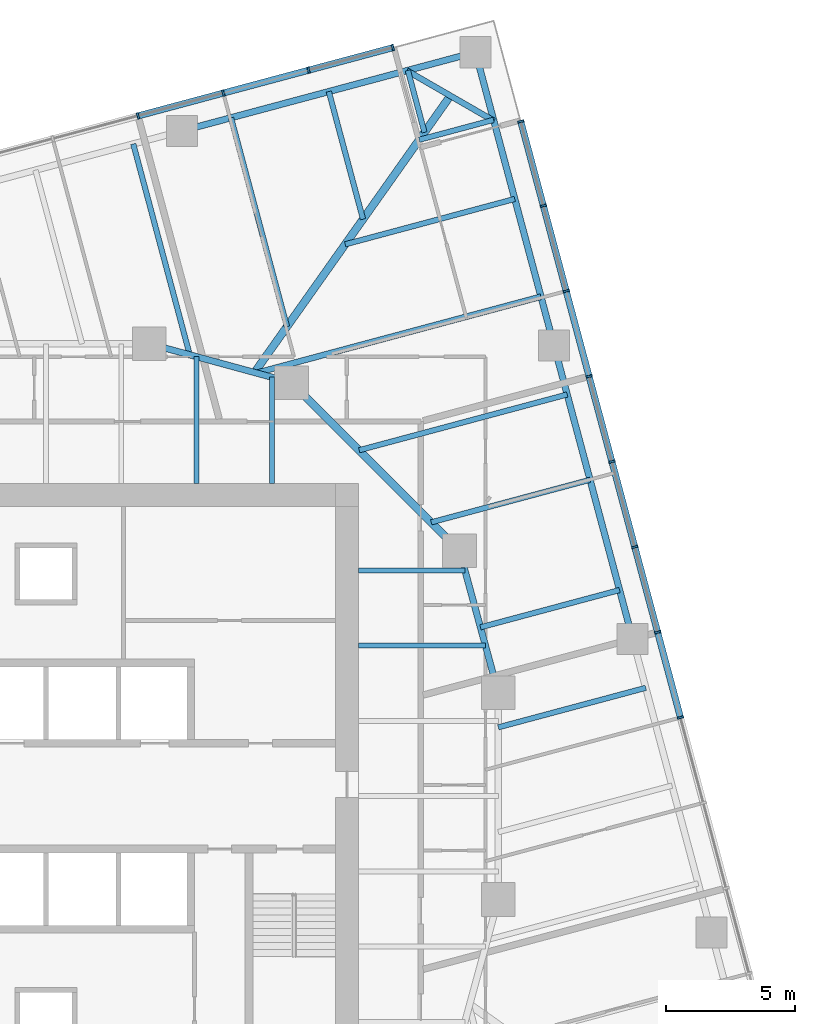
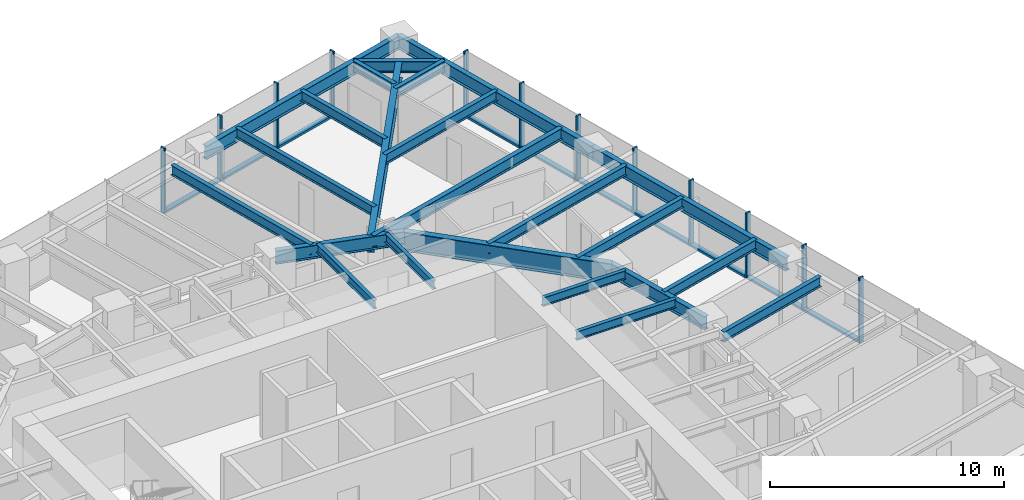
# One storey, part 6 of 13: 23 beams, 22 members, 2 elements without a shape of their own.
"""IFC4 building model written with IfcOpenShell, lengths in metres."""

from ifc_helpers import new_model, si_unit, direction, frame, origin, origin_2d, place, context, subcontext, project, spatial, rectangle, i_section, extrude, material, material_profile, profile_set, type_object, element, aggregate, save


model = new_model("IFC4")

# Units and contexts
model_context = context("Model", 3, precision=1e-05, world=origin(), true_north=direction((0.0, 1.0)))
body_context = subcontext(model_context, "Body", "Model", "MODEL_VIEW")
ifc_project = project(units=[si_unit("LENGTHUNIT", "METRE"), si_unit("AREAUNIT", "SQUARE_METRE"), si_unit("VOLUMEUNIT", "CUBIC_METRE"), si_unit("PLANEANGLEUNIT", "RADIAN"), si_unit("MASSUNIT", "GRAM", prefix="KILO")], contexts=[model_context])

# Site, building, storey
site_placement = place(None, origin())
site = spatial("IfcSite", under=ifc_project, at=site_placement, CompositionType="ELEMENT")
building_placement = place(site_placement, origin())
building = spatial("IfcBuilding", under=site, at=building_placement, Name="Torsade Residences", CompositionType="ELEMENT")
storey_placement = place(building_placement, frame((0.0, 0.0, 115.0)))
storey = spatial("IfcBuildingStorey", under=building, at=storey_placement, Name="L31", CompositionType="ELEMENT", Elevation=115.0)

# Beams
ifc_material_1 = material(Name="Steel grade 300", Category="steel")
ifc_material_profile_1 = material_profile(ifc_material_1, i_section(OverallWidth=0.300048828125, OverallDepth=0.89990234375, WebThickness=0.011962890625, FlangeThickness=0.02490234375, at=origin_2d()), Name="900WB175")
ifc_profile_set_1 = profile_set([ifc_material_profile_1], Name="Steel grade 300")
beam_type_1 = type_object("IfcBeamType", Name="CORNER GIRDER 900WB175", PredefinedType="BEAM", material=ifc_profile_set_1)
beam_1_placement = place(storey_placement, frame((55.644775390625, 57.097412109375, 2.800048828125), z_axis=(-0.577683167004, -0.816261084801, 0.0), x_axis=(0.816261084801, -0.577683167004, 0.0)))
element("IfcBeam", 1, at=beam_1_placement, inside=storey, type_object=beam_type_1, Name="Corner girder 09 L32", PredefinedType="BEAM", context=body_context, shape_type="SweptSolid", body=[
    extrude(i_section(OverallWidth=0.300048828125, OverallDepth=0.89990234375, WebThickness=0.011962890625, FlangeThickness=0.02490234375, at=origin_2d()), origin(), (0.0, 0.0, 1.0), 13.116943359375),
])
ifc_material_2 = material(Name="Steel grade 300", Category="steel")
ifc_material_profile_2 = material_profile(ifc_material_2, i_section(OverallWidth=0.22802734375, OverallDepth=0.60205078125, WebThickness=0.010498046875, FlangeThickness=0.014892578125, FilletRadius=0.013916015625, at=origin_2d()), Name="610UB101")
ifc_profile_set_2 = profile_set([ifc_material_profile_2], Name="Steel grade 300")
beam_type_2 = type_object("IfcBeamType", Name="CORNER TRIMMER 610UB101", PredefinedType="BEAM", material=ifc_profile_set_2)
beam_2_placement = place(storey_placement, frame((53.960693359375, 58.06982421875, 2.948974609375), z_axis=(0.866028782848, -0.499994147244, 0.0), x_axis=(0.499994147244, 0.866028782848, 0.0)))
element("IfcBeam", 2, at=beam_2_placement, inside=storey, type_object=beam_type_2, Name="Corner trimmer 09 L32", PredefinedType="BEAM", context=body_context, shape_type="SweptSolid", body=[
    extrude(i_section(OverallWidth=0.22802734375, OverallDepth=0.60205078125, WebThickness=0.010498046875, FlangeThickness=0.014892578125, FilletRadius=0.013916015625, at=origin_2d()), origin(), (0.0, 0.0, 1.0), 3.88916015625),
])
ifc_material_3 = material(Name="Steel grade 300", Category="steel")
ifc_material_profile_3 = material_profile(ifc_material_3, i_section(OverallWidth=0.25, OverallDepth=0.699951171875, WebThickness=0.010009765625, FlangeThickness=0.02001953125, at=origin_2d()), Name="700WB130")
ifc_profile_set_3 = profile_set([ifc_material_profile_3], Name="Steel grade 300")
beam_type_3 = type_object("IfcBeamType", Name="EDGE BEAM 700WB130", PredefinedType="SPANDREL", material=ifc_profile_set_3)
for number, where, z_axis, x_axis, name in (
    (3, (62.69921875, 36.082275390625, 2.89990234375), (-0.258810863021, 0.965928018634, 0.0), (-0.965928018634, -0.258810863021, 0.0), "Edge beam 07 L32"),
    (4, (59.658203125, 47.431884765625, 2.89990234375), (-0.258830249097, 0.965922824118, 0.0), (-0.965922824118, -0.258830249097, 0.0), "Edge beam 08 L32"),
    (5, (56.616943359375, 58.781494140625, 2.89990234375), (-0.965928018634, -0.258810863021, 0.0), (0.258810863021, -0.965928018634, 0.0), "Edge beam 09 L32"),
):
    element("IfcBeam", number, at=place(storey_placement, frame(where, z_axis=z_axis, x_axis=x_axis)), inside=storey, type_object=beam_type_3, Name=name, PredefinedType="SPANDREL", context=body_context, shape_type="SweptSolid", body=[
        extrude(i_section(OverallWidth=0.25, OverallDepth=0.699951171875, WebThickness=0.010009765625, FlangeThickness=0.02001953125, at=origin_2d()), origin(), (0.0, 0.0, 1.0), 11.75),
    ])
ifc_material_4 = material(Name="Steel grade 300", Category="steel")
ifc_material_profile_4 = material_profile(ifc_material_4, i_section(OverallWidth=0.18994140625, OverallDepth=0.4541015625, WebThickness=0.008544921875, FlangeThickness=0.0126953125, FilletRadius=0.011474609375, at=origin_2d()), Name="460UB67.1")
ifc_profile_set_4 = profile_set([ifc_material_profile_4], Name="Steel grade 300")
beam_type_4 = type_object("IfcBeamType", Name="INNER FLOOR BEAM 460UB67.1", PredefinedType="JOIST", material=ifc_profile_set_4)
beam_3_placement = place(storey_placement, frame((45.824951171875, 42.10009765625, 3.02294921875), z_axis=(0.0, 1.0, 0.0), x_axis=(-1.0, 0.0, 0.0)))
element("IfcBeam", 6, at=beam_3_placement, inside=storey, type_object=beam_type_4, Name="Inner floor beam IN06 L32", PredefinedType="JOIST", context=body_context, shape_type="SweptSolid", body=[
    extrude(i_section(OverallWidth=0.18994140625, OverallDepth=0.4541015625, WebThickness=0.008544921875, FlangeThickness=0.0126953125, FilletRadius=0.011474609375, at=origin_2d()), origin(), (0.0, 0.0, 1.0), 4.902099609375),
])
beam_4_placement = place(storey_placement, frame((48.737548828125, 42.10009765625, 3.02294921875), z_axis=(0.0, 1.0, 0.0), x_axis=(-1.0, 0.0, 0.0)))
element("IfcBeam", 7, at=beam_4_placement, inside=storey, type_object=beam_type_4, Name="Inner floor beam IN07 L32", PredefinedType="JOIST", context=body_context, shape_type="SweptSolid", body=[
    extrude(i_section(OverallWidth=0.18994140625, OverallDepth=0.4541015625, WebThickness=0.008544921875, FlangeThickness=0.0126953125, FilletRadius=0.011474609375, at=origin_2d()), origin(), (0.0, 0.0, 1.0), 4.10791015625),
])
beam_5_placement = place(storey_placement, frame((52.10009765625, 35.824951171875, 3.02294921875), z_axis=(1.0, 0.0, 0.0), x_axis=(0.0, 1.0, 0.0)))
element("IfcBeam", 8, at=beam_5_placement, inside=storey, type_object=beam_type_4, Name="Inner floor beam IE06 L32", PredefinedType="JOIST", context=body_context, shape_type="SweptSolid", body=[
    extrude(i_section(OverallWidth=0.18994140625, OverallDepth=0.4541015625, WebThickness=0.008544921875, FlangeThickness=0.0126953125, FilletRadius=0.011474609375, at=origin_2d()), origin(), (0.0, 0.0, 1.0), 4.902099609375),
])
beam_6_placement = place(storey_placement, frame((52.10009765625, 38.737548828125, 3.02294921875), z_axis=(1.0, 0.0, 0.0), x_axis=(0.0, 1.0, 0.0)))
element("IfcBeam", 9, at=beam_6_placement, inside=storey, type_object=beam_type_4, Name="Inner floor beam IE07 L32", PredefinedType="JOIST", context=body_context, shape_type="SweptSolid", body=[
    extrude(i_section(OverallWidth=0.18994140625, OverallDepth=0.4541015625, WebThickness=0.008544921875, FlangeThickness=0.0126953125, FilletRadius=0.011474609375, at=origin_2d()), origin(), (0.0, 0.0, 1.0), 4.10791015625),
])

# Curtain wall, members
ifc_material_5 = material(Name="Aluminium and glass", Category="aluminium")
curtain_wall_type = type_object("IfcCurtainWallType", Name="FRITTED GLASS CURTAIN WALL MID ZONE", PredefinedType="NOTDEFINED", material=ifc_material_5)
curtain_wall_1_placement = place(storey_placement, origin())
curtain_wall_1 = element("IfcCurtainWall", 10, at=curtain_wall_1_placement, inside=storey, type_object=curtain_wall_type, Name="Curtain wall L31 face 4", PredefinedType="NOTDEFINED")
ifc_material_6 = material(Name="Aluminium mullion", Category="aluminium")
ifc_material_profile_5 = material_profile(ifc_material_6, rectangle(XDim=0.25, YDim=0.080078125, at=origin_2d()), Name="MID ZONE CURTAIN WALL MULLION 250x80")
ifc_profile_set_5 = profile_set([ifc_material_profile_5], Name="Aluminium mullion")
member_type_1 = type_object("IfcMemberType", Name="MID ZONE CURTAIN WALL MULLION 250x80", PredefinedType="MULLION", material=ifc_profile_set_5)
member_1_placement = place(storey_placement, frame((64.549560546875, 33.040771484375, 0.0), z_axis=(0.0, 0.0, 1.0), x_axis=(-0.965925825571, -0.258819047783, 0.0)))
member_1 = element("IfcMember", 11, at=member_1_placement, type_object=member_type_1, Name="Mullion 6", PredefinedType="MULLION", context=body_context, shape_type="SweptSolid", body=[
    extrude(rectangle(XDim=0.25, YDim=0.080078125, at=origin_2d()), origin(), (0.0, 0.0, 1.0), 3.39990234375),
])
member_2_placement = place(storey_placement, frame((63.665283203125, 36.341064453125, 0.0), z_axis=(0.0, 0.0, 1.0), x_axis=(-0.965925825571, -0.258819047783, 0.0)))
member_2 = element("IfcMember", 12, at=member_2_placement, type_object=member_type_1, Name="Mullion 7", PredefinedType="MULLION", context=body_context, shape_type="SweptSolid", body=[
    extrude(rectangle(XDim=0.25, YDim=0.080078125, at=origin_2d()), origin(), (0.0, 0.0, 1.0), 3.39990234375),
])
member_3_placement = place(storey_placement, frame((62.781005859375, 39.641357421875, 0.0), z_axis=(0.0, 0.0, 1.0), x_axis=(-0.965925825571, -0.258819047783, 0.0)))
member_3 = element("IfcMember", 13, at=member_3_placement, type_object=member_type_1, Name="Mullion 8", PredefinedType="MULLION", context=body_context, shape_type="SweptSolid", body=[
    extrude(rectangle(XDim=0.25, YDim=0.080078125, at=origin_2d()), origin(), (0.0, 0.0, 1.0), 3.39990234375),
])
member_4_placement = place(storey_placement, frame((61.896484375, 42.941650390625, 0.0), z_axis=(0.0, 0.0, 1.0), x_axis=(-0.965925825571, -0.258819047783, 0.0)))
member_4 = element("IfcMember", 14, at=member_4_placement, type_object=member_type_1, Name="Mullion 9", PredefinedType="MULLION", context=body_context, shape_type="SweptSolid", body=[
    extrude(rectangle(XDim=0.25, YDim=0.080078125, at=origin_2d()), origin(), (0.0, 0.0, 1.0), 3.39990234375),
])
member_5_placement = place(storey_placement, frame((61.01220703125, 46.24169921875, 0.0), z_axis=(0.0, 0.0, 1.0), x_axis=(-0.965925825571, -0.258819047783, 0.0)))
member_5 = element("IfcMember", 15, at=member_5_placement, type_object=member_type_1, Name="Mullion 10", PredefinedType="MULLION", context=body_context, shape_type="SweptSolid", body=[
    extrude(rectangle(XDim=0.25, YDim=0.080078125, at=origin_2d()), origin(), (0.0, 0.0, 1.0), 3.39990234375),
])
member_6_placement = place(storey_placement, frame((60.1279296875, 49.5419921875, 0.0), z_axis=(0.0, 0.0, 1.0), x_axis=(-0.965925825571, -0.258819047783, 0.0)))
member_6 = element("IfcMember", 16, at=member_6_placement, type_object=member_type_1, Name="Mullion 11", PredefinedType="MULLION", context=body_context, shape_type="SweptSolid", body=[
    extrude(rectangle(XDim=0.25, YDim=0.080078125, at=origin_2d()), origin(), (0.0, 0.0, 1.0), 3.39990234375),
])
member_7_placement = place(storey_placement, frame((59.24365234375, 52.84228515625, 0.0), z_axis=(0.0, 0.0, 1.0), x_axis=(-0.965925825571, -0.258819047783, 0.0)))
member_7 = element("IfcMember", 17, at=member_7_placement, type_object=member_type_1, Name="Mullion 12", PredefinedType="MULLION", context=body_context, shape_type="SweptSolid", body=[
    extrude(rectangle(XDim=0.25, YDim=0.080078125, at=origin_2d()), origin(), (0.0, 0.0, 1.0), 3.39990234375),
])
member_8_placement = place(storey_placement, frame((58.36962890625, 56.10400390625, 0.0), z_axis=(0.0, 0.0, 1.0), x_axis=(-0.965925825571, -0.258819047783, 0.0)))
member_8 = element("IfcMember", 18, at=member_8_placement, type_object=member_type_1, Name="Mullion 13", PredefinedType="MULLION", context=body_context, shape_type="SweptSolid", body=[
    extrude(rectangle(XDim=0.25, YDim=0.080078125, at=origin_2d()), origin(), (0.0, 0.0, 1.0), 3.39990234375),
])

curtain_wall_2_placement = place(storey_placement, origin())
curtain_wall_2 = element("IfcCurtainWall", 19, at=curtain_wall_2_placement, inside=storey, type_object=curtain_wall_type, Name="Curtain wall L31 face 7", PredefinedType="NOTDEFINED")
member_9_placement = place(storey_placement, frame((53.421875, 58.960693359375, 0.0), z_axis=(0.0, 0.0, 1.0), x_axis=(0.258819047783, -0.965925825571, 0.0)))
member_9 = element("IfcMember", 20, at=member_9_placement, type_object=member_type_1, Name="Mullion 1", PredefinedType="MULLION", context=body_context, shape_type="SweptSolid", body=[
    extrude(rectangle(XDim=0.25, YDim=0.080078125, at=origin_2d()), origin(), (0.0, 0.0, 1.0), 3.39990234375),
])
member_10_placement = place(storey_placement, frame((50.16015625, 58.086669921875, 0.0), z_axis=(0.0, 0.0, 1.0), x_axis=(0.258819047783, -0.965925825571, 0.0)))
member_10 = element("IfcMember", 21, at=member_10_placement, type_object=member_type_1, Name="Mullion 2", PredefinedType="MULLION", context=body_context, shape_type="SweptSolid", body=[
    extrude(rectangle(XDim=0.25, YDim=0.080078125, at=origin_2d()), origin(), (0.0, 0.0, 1.0), 3.39990234375),
])
member_11_placement = place(storey_placement, frame((46.85986328125, 57.202392578125, 0.0), z_axis=(0.0, 0.0, 1.0), x_axis=(0.258819047783, -0.965925825571, 0.0)))
member_11 = element("IfcMember", 22, at=member_11_placement, type_object=member_type_1, Name="Mullion 3", PredefinedType="MULLION", context=body_context, shape_type="SweptSolid", body=[
    extrude(rectangle(XDim=0.25, YDim=0.080078125, at=origin_2d()), origin(), (0.0, 0.0, 1.0), 3.39990234375),
])
member_12_placement = place(storey_placement, frame((43.5595703125, 56.318115234375, 0.0), z_axis=(0.0, 0.0, 1.0), x_axis=(0.258819047783, -0.965925825571, 0.0)))
member_12 = element("IfcMember", 23, at=member_12_placement, type_object=member_type_1, Name="Mullion 4", PredefinedType="MULLION", context=body_context, shape_type="SweptSolid", body=[
    extrude(rectangle(XDim=0.25, YDim=0.080078125, at=origin_2d()), origin(), (0.0, 0.0, 1.0), 3.39990234375),
])

# Member
ifc_material_7 = material(Name="Aluminium transom", Category="aluminium")
ifc_material_profile_6 = material_profile(ifc_material_7, rectangle(XDim=0.25, YDim=0.110107421875, at=origin_2d()), Name="MID ZONE CURTAIN WALL TRANSOM 250x110")
ifc_profile_set_6 = profile_set([ifc_material_profile_6], Name="Aluminium transom")
member_type_2 = type_object("IfcMemberType", Name="MID ZONE CURTAIN WALL TRANSOM 250x110", PredefinedType="USERDEFINED", material=ifc_profile_set_6)
member_13_placement = place(storey_placement, frame((64.5390625, 33.079345703125, 0.054931640625), z_axis=(-0.258787285653, 0.965934335648, 0.0), x_axis=(-0.965934335648, -0.258787285653, 0.0)))
member_13 = element("IfcMember", 24, at=member_13_placement, type_object=member_type_2, Name="Transom 6.1", ObjectType="TRANSOM", PredefinedType="USERDEFINED", context=body_context, shape_type="SweptSolid", body=[
    extrude(rectangle(XDim=0.25, YDim=0.110107421875, at=origin_2d()), origin(), (0.0, 0.0, 1.0), 3.3369140625),
])

member_14_placement = place(storey_placement, frame((63.65478515625, 36.379638671875, 0.054931640625), z_axis=(-0.258787285653, 0.965934335648, 0.0), x_axis=(-0.965934335648, -0.258787285653, 0.0)))
member_14 = element("IfcMember", 25, at=member_14_placement, type_object=member_type_2, Name="Transom 7.1", ObjectType="TRANSOM", PredefinedType="USERDEFINED", context=body_context, shape_type="SweptSolid", body=[
    extrude(rectangle(XDim=0.25, YDim=0.110107421875, at=origin_2d()), origin(), (0.0, 0.0, 1.0), 3.3369140625),
])

member_15_placement = place(storey_placement, frame((62.7705078125, 39.679931640625, 0.054931640625), z_axis=(-0.258805576255, 0.965929435155, 0.0), x_axis=(-0.965929435155, -0.258805576255, 0.0)))
member_15 = element("IfcMember", 26, at=member_15_placement, type_object=member_type_2, Name="Transom 8.1", ObjectType="TRANSOM", PredefinedType="USERDEFINED", context=body_context, shape_type="SweptSolid", body=[
    extrude(rectangle(XDim=0.25, YDim=0.110107421875, at=origin_2d()), origin(), (0.0, 0.0, 1.0), 3.336669921875),
])

member_16_placement = place(storey_placement, frame((61.88623046875, 42.980224609375, 0.054931640625), z_axis=(-0.258805576255, 0.965929435155, 0.0), x_axis=(-0.965929435155, -0.258805576255, 0.0)))
member_16 = element("IfcMember", 27, at=member_16_placement, type_object=member_type_2, Name="Transom 9.1", ObjectType="TRANSOM", PredefinedType="USERDEFINED", context=body_context, shape_type="SweptSolid", body=[
    extrude(rectangle(XDim=0.25, YDim=0.110107421875, at=origin_2d()), origin(), (0.0, 0.0, 1.0), 3.336669921875),
])

member_17_placement = place(storey_placement, frame((61.001953125, 46.280517578125, 0.054931640625), z_axis=(-0.258805576255, 0.965929435155, 0.0), x_axis=(-0.965929435155, -0.258805576255, 0.0)))
member_17 = element("IfcMember", 28, at=member_17_placement, type_object=member_type_2, Name="Transom 10.1", ObjectType="TRANSOM", PredefinedType="USERDEFINED", context=body_context, shape_type="SweptSolid", body=[
    extrude(rectangle(XDim=0.25, YDim=0.110107421875, at=origin_2d()), origin(), (0.0, 0.0, 1.0), 3.336669921875),
])

member_18_placement = place(storey_placement, frame((60.11767578125, 49.580810546875, 0.054931640625), z_axis=(-0.258805576255, 0.965929435155, 0.0), x_axis=(-0.965929435155, -0.258805576255, 0.0)))
member_18 = element("IfcMember", 29, at=member_18_placement, type_object=member_type_2, Name="Transom 11.1", ObjectType="TRANSOM", PredefinedType="USERDEFINED", context=body_context, shape_type="SweptSolid", body=[
    extrude(rectangle(XDim=0.25, YDim=0.110107421875, at=origin_2d()), origin(), (0.0, 0.0, 1.0), 3.336669921875),
])

member_19_placement = place(storey_placement, frame((59.2333984375, 52.880859375, 0.054931640625), z_axis=(-0.258828627534, 0.965923258633, 0.0), x_axis=(-0.965923258633, -0.258828627534, 0.0)))
member_19 = element("IfcMember", 30, at=member_19_placement, type_object=member_type_2, Name="Transom 12.1", ObjectType="TRANSOM", PredefinedType="USERDEFINED", context=body_context, shape_type="SweptSolid", body=[
    extrude(rectangle(XDim=0.25, YDim=0.110107421875, at=origin_2d()), origin(), (0.0, 0.0, 1.0), 3.296630859375),
])

aggregate(curtain_wall_1, [member_1, member_2, member_3, member_4, member_5, member_6, member_7, member_8, member_13, member_14, member_15, member_16, member_17, member_18, member_19])

member_20_placement = place(storey_placement, frame((53.383056640625, 58.9501953125, 0.054931640625), z_axis=(-0.965923258633, -0.258828627534, 0.0), x_axis=(0.258828627534, -0.965923258633, 0.0)))
member_20 = element("IfcMember", 31, at=member_20_placement, type_object=member_type_2, Name="Transom 1.1", ObjectType="TRANSOM", PredefinedType="USERDEFINED", context=body_context, shape_type="SweptSolid", body=[
    extrude(rectangle(XDim=0.25, YDim=0.110107421875, at=origin_2d()), origin(), (0.0, 0.0, 1.0), 3.296630859375),
])

member_21_placement = place(storey_placement, frame((50.12158203125, 58.076416015625, 0.054931640625), z_axis=(-0.965916044226, -0.258855549498, 0.0), x_axis=(0.258855549498, -0.965916044226, 0.0)))
member_21 = element("IfcMember", 32, at=member_21_placement, type_object=member_type_2, Name="Transom 2.1", ObjectType="TRANSOM", PredefinedType="USERDEFINED", context=body_context, shape_type="SweptSolid", body=[
    extrude(rectangle(XDim=0.25, YDim=0.110107421875, at=origin_2d()), origin(), (0.0, 0.0, 1.0), 3.3369140625),
])

member_22_placement = place(storey_placement, frame((46.8212890625, 57.192138671875, 0.054931640625), z_axis=(-0.96591114124, -0.258873844232, 0.0), x_axis=(0.258873844232, -0.96591114124, 0.0)))
member_22 = element("IfcMember", 33, at=member_22_placement, type_object=member_type_2, Name="Transom 3.1", ObjectType="TRANSOM", PredefinedType="USERDEFINED", context=body_context, shape_type="SweptSolid", body=[
    extrude(rectangle(XDim=0.25, YDim=0.110107421875, at=origin_2d()), origin(), (0.0, 0.0, 1.0), 3.336669921875),
])

aggregate(curtain_wall_2, [member_9, member_10, member_11, member_12, member_20, member_21, member_22])

# Beams
ifc_material_8 = material(Name="Steel grade 300", Category="steel")
ifc_material_profile_7 = material_profile(ifc_material_8, i_section(OverallWidth=0.300048828125, OverallDepth=1.0, WebThickness=0.01611328125, FlangeThickness=0.028076171875, at=origin_2d()), Name="1000WB215")
ifc_profile_set_7 = profile_set([ifc_material_profile_7], Name="Steel grade 300")
beam_type_5 = type_object("IfcBeamType", Name="RING CORNER GIRDER 1000WB215", PredefinedType="BEAM", material=ifc_profile_set_7)
beam_7_placement = place(storey_placement, frame((56.0, 39.5, 2.75), z_axis=(-0.707106781187, 0.707106781187, 0.0), x_axis=(-0.707106781187, -0.707106781187, 0.0)))
element("IfcBeam", 34, at=beam_7_placement, inside=storey, type_object=beam_type_5, Name="Ring girder IR03 L32", PredefinedType="BEAM", context=body_context, shape_type="SweptSolid", body=[
    extrude(i_section(OverallWidth=0.300048828125, OverallDepth=1.0, WebThickness=0.01611328125, FlangeThickness=0.028076171875, at=origin_2d()), origin(), (0.0, 0.0, 1.0), 9.1923828125),
])
ifc_material_9 = material(Name="Steel grade 300", Category="steel")
ifc_material_profile_8 = material_profile(ifc_material_9, i_section(OverallWidth=0.25, OverallDepth=0.699951171875, WebThickness=0.010009765625, FlangeThickness=0.02001953125, at=origin_2d()), Name="700WB130")
ifc_profile_set_8 = profile_set([ifc_material_profile_8], Name="Steel grade 300")
beam_type_6 = type_object("IfcBeamType", Name="RING GIRDER 700WB130", PredefinedType="BEAM", material=ifc_profile_set_8)
for number, where, z_axis, x_axis, name in (
    (35, (57.5, 34.0, 2.89990234375), (-0.263117405792, 0.964763821238, 0.0), (-0.964763821238, -0.263117405792, 0.0), "Ring girder IR02 L32"),
    (36, (49.5, 46.0, 2.89990234375), (-0.964763821238, 0.263117405792, 0.0), (-0.263117405792, -0.964763821238, 0.0), "Ring girder IR04 L32"),
):
    element("IfcBeam", number, at=place(storey_placement, frame(where, z_axis=z_axis, x_axis=x_axis)), inside=storey, type_object=beam_type_6, Name=name, PredefinedType="BEAM", context=body_context, shape_type="SweptSolid", body=[
        extrude(i_section(OverallWidth=0.25, OverallDepth=0.699951171875, WebThickness=0.010009765625, FlangeThickness=0.02001953125, at=origin_2d()), origin(), (0.0, 0.0, 1.0), 5.700927734375),
    ])
ifc_material_10 = material(Name="Steel grade 300", Category="steel")
ifc_material_profile_9 = material_profile(ifc_material_10, i_section(OverallWidth=0.208984375, OverallDepth=0.528076171875, WebThickness=0.009521484375, FlangeThickness=0.01318359375, FilletRadius=0.013916015625, at=origin_2d()), Name="530UB82.0")
ifc_profile_set_9 = profile_set([ifc_material_profile_9], Name="Steel grade 300")
beam_type_7 = type_object("IfcBeamType", Name="SECONDARY BEAM 530UB82.0", PredefinedType="JOIST", material=ifc_profile_set_9)
beam_8_placement = place(storey_placement, frame((63.2060546875, 34.190673828125, 2.986083984375), z_axis=(-0.965920748174, -0.258837996141, 0.0), x_axis=(0.258837996141, -0.965920748174, 0.0)))
element("IfcBeam", 37, at=beam_8_placement, inside=storey, type_object=beam_type_7, Name="Floor beam FE06 L32", PredefinedType="JOIST", context=body_context, shape_type="SweptSolid", body=[
    extrude(i_section(OverallWidth=0.208984375, OverallDepth=0.528076171875, WebThickness=0.009521484375, FlangeThickness=0.01318359375, FilletRadius=0.013916015625, at=origin_2d()), origin(), (0.0, 0.0, 1.0), 5.907470703125),
])
beam_9_placement = place(storey_placement, frame((62.1923828125, 37.973876953125, 2.986083984375), z_axis=(-0.965923020144, -0.258829517553, 0.0), x_axis=(0.258829517553, -0.965923020144, 0.0)))
element("IfcBeam", 38, at=beam_9_placement, inside=storey, type_object=beam_type_7, Name="Floor beam FE07 L32", PredefinedType="JOIST", context=body_context, shape_type="SweptSolid", body=[
    extrude(i_section(OverallWidth=0.208984375, OverallDepth=0.528076171875, WebThickness=0.009521484375, FlangeThickness=0.01318359375, FilletRadius=0.013916015625, at=origin_2d()), origin(), (0.0, 0.0, 1.0), 5.57275390625),
])
beam_10_placement = place(storey_placement, frame((61.04931640625, 42.239990234375, 2.986083984375), z_axis=(-0.965929717932, -0.258804520856, 0.0), x_axis=(0.258804520856, -0.965929717932, 0.0)))
element("IfcBeam", 39, at=beam_10_placement, inside=storey, type_object=beam_type_7, Name="Floor beam FE08 L32", PredefinedType="JOIST", context=body_context, shape_type="SweptSolid", body=[
    extrude(i_section(OverallWidth=0.208984375, OverallDepth=0.528076171875, WebThickness=0.009521484375, FlangeThickness=0.01318359375, FilletRadius=0.013916015625, at=origin_2d()), origin(), (0.0, 0.0, 1.0), 6.360107421875),
])
beam_11_placement = place(storey_placement, frame((60.1650390625, 45.540283203125, 2.986083984375), z_axis=(-0.96592202475, -0.258833232221, 0.0), x_axis=(0.258833232221, -0.96592202475, 0.0)))
element("IfcBeam", 40, at=beam_11_placement, inside=storey, type_object=beam_type_7, Name="Floor beam FE09 L32", PredefinedType="JOIST", context=body_context, shape_type="SweptSolid", body=[
    extrude(i_section(OverallWidth=0.208984375, OverallDepth=0.528076171875, WebThickness=0.009521484375, FlangeThickness=0.01318359375, FilletRadius=0.013916015625, at=origin_2d()), origin(), (0.0, 0.0, 1.0), 8.33251953125),
])
beam_12_placement = place(storey_placement, frame((58.137451171875, 53.106689453125, 2.986083984375), z_axis=(-0.965927035229, -0.258814533235, 0.0), x_axis=(0.258814533235, -0.965927035229, 0.0)))
element("IfcBeam", 41, at=beam_12_placement, inside=storey, type_object=beam_type_7, Name="Floor beam FE11 L32", PredefinedType="JOIST", context=body_context, shape_type="SweptSolid", body=[
    extrude(i_section(OverallWidth=0.208984375, OverallDepth=0.528076171875, WebThickness=0.009521484375, FlangeThickness=0.01318359375, FilletRadius=0.013916015625, at=origin_2d()), origin(), (0.0, 0.0, 1.0), 6.792724609375),
])
beam_13_placement = place(storey_placement, frame((57.31787109375, 56.16552734375, 2.986083984375), z_axis=(-0.965913310475, -0.258865750242, 0.0), x_axis=(0.258865750242, -0.965913310475, 0.0)))
element("IfcBeam", 42, at=beam_13_placement, inside=storey, type_object=beam_type_7, Name="Floor beam FE12 L32", PredefinedType="JOIST", context=body_context, shape_type="SweptSolid", body=[
    extrude(i_section(OverallWidth=0.208984375, OverallDepth=0.528076171875, WebThickness=0.009521484375, FlangeThickness=0.01318359375, FilletRadius=0.013916015625, at=origin_2d()), origin(), (0.0, 0.0, 1.0), 2.980224609375),
])
beam_14_placement = place(storey_placement, frame((54.0009765625, 58.08056640625, 2.986083984375), z_axis=(0.258837674225, -0.965920834438, 0.0), x_axis=(0.965920834438, 0.258837674225, 0.0)))
element("IfcBeam", 43, at=beam_14_placement, inside=storey, type_object=beam_type_7, Name="Floor beam FN01 L32", PredefinedType="JOIST", context=body_context, shape_type="SweptSolid", body=[
    extrude(i_section(OverallWidth=0.208984375, OverallDepth=0.528076171875, WebThickness=0.009521484375, FlangeThickness=0.01318359375, FilletRadius=0.013916015625, at=origin_2d()), origin(), (0.0, 0.0, 1.0), 2.482666015625),
])
beam_15_placement = place(storey_placement, frame((50.942138671875, 57.260986328125, 2.986083984375), z_axis=(0.258815647274, -0.965926736728, 0.0), x_axis=(0.965926736728, 0.258815647274, 0.0)))
element("IfcBeam", 44, at=beam_15_placement, inside=storey, type_object=beam_type_7, Name="Floor beam FN02 L32", PredefinedType="JOIST", context=body_context, shape_type="SweptSolid", body=[
    extrude(i_section(OverallWidth=0.208984375, OverallDepth=0.528076171875, WebThickness=0.009521484375, FlangeThickness=0.01318359375, FilletRadius=0.013916015625, at=origin_2d()), origin(), (0.0, 0.0, 1.0), 5.11279296875),
])
beam_16_placement = place(storey_placement, frame((47.158935546875, 56.247314453125, 2.986083984375), z_axis=(0.258823120582, -0.965924734258, 0.0), x_axis=(0.965924734258, 0.258823120582, 0.0)))
element("IfcBeam", 45, at=beam_16_placement, inside=storey, type_object=beam_type_7, Name="Floor beam FN03 L32", PredefinedType="JOIST", context=body_context, shape_type="SweptSolid", body=[
    extrude(i_section(OverallWidth=0.208984375, OverallDepth=0.528076171875, WebThickness=0.009521484375, FlangeThickness=0.01318359375, FilletRadius=0.013916015625, at=origin_2d()), origin(), (0.0, 0.0, 1.0), 8.365966796875),
])
beam_17_placement = place(storey_placement, frame((43.375732421875, 55.233642578125, 2.986083984375), z_axis=(0.258808315464, -0.965928701223, 0.0), x_axis=(0.965928701223, 0.258808315464, 0.0)))
element("IfcBeam", 46, at=beam_17_placement, inside=storey, type_object=beam_type_7, Name="Floor beam FN04 L32", PredefinedType="JOIST", context=body_context, shape_type="SweptSolid", body=[
    extrude(i_section(OverallWidth=0.208984375, OverallDepth=0.528076171875, WebThickness=0.009521484375, FlangeThickness=0.01318359375, FilletRadius=0.013916015625, at=origin_2d()), origin(), (0.0, 0.0, 1.0), 8.447509765625),
])
ifc_material_11 = material(Name="Steel grade 300", Category="steel")
ifc_material_profile_10 = material_profile(ifc_material_11, i_section(OverallWidth=0.22900390625, OverallDepth=0.612060546875, WebThickness=0.011962890625, FlangeThickness=0.01953125, FilletRadius=0.013916015625, at=origin_2d()), Name="610UB125")
ifc_profile_set_10 = profile_set([ifc_material_profile_10], Name="Steel grade 300")
beam_type_8 = type_object("IfcBeamType", Name="SECONDARY BEAM 610UB125", PredefinedType="JOIST", material=ifc_profile_set_10)
beam_18_placement = place(storey_placement, frame((59.1513671875, 49.323486328125, 2.944091796875), z_axis=(-0.965929035417, -0.258807068179, 0.0), x_axis=(0.258807068179, -0.965929035417, 0.0)))
element("IfcBeam", 47, at=beam_18_placement, inside=storey, type_object=beam_type_8, Name="Floor beam FE10 L32", PredefinedType="JOIST", context=body_context, shape_type="SweptSolid", body=[
    extrude(i_section(OverallWidth=0.22900390625, OverallDepth=0.612060546875, WebThickness=0.011962890625, FlangeThickness=0.01953125, FilletRadius=0.013916015625, at=origin_2d()), origin(), (0.0, 0.0, 1.0), 11.40380859375),
])

save(model, "model.ifc")
